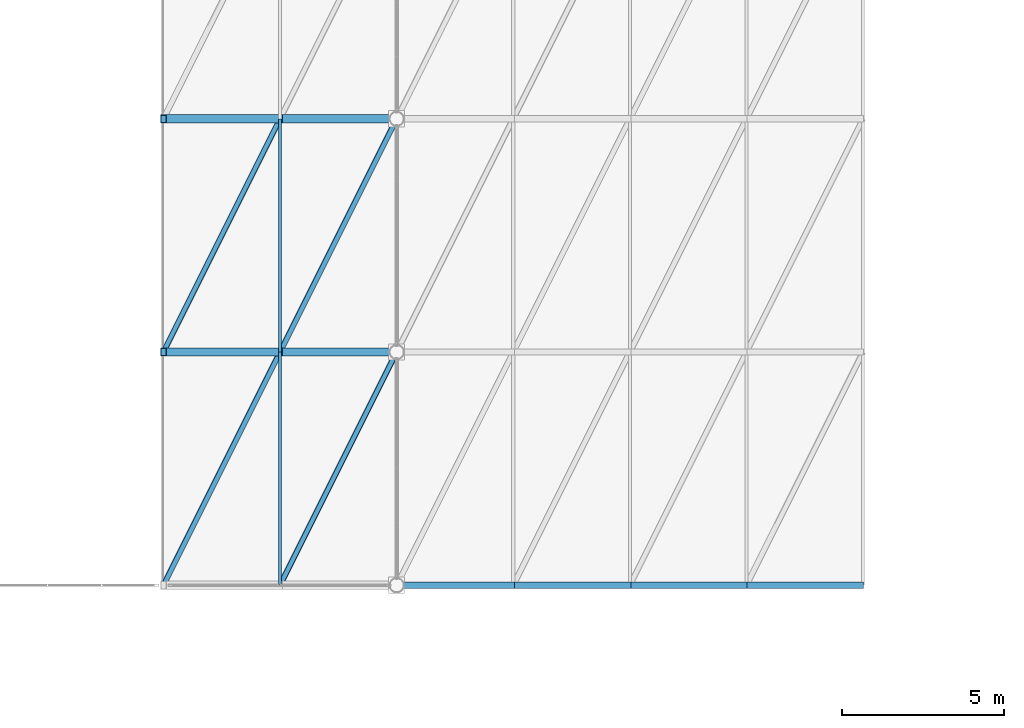
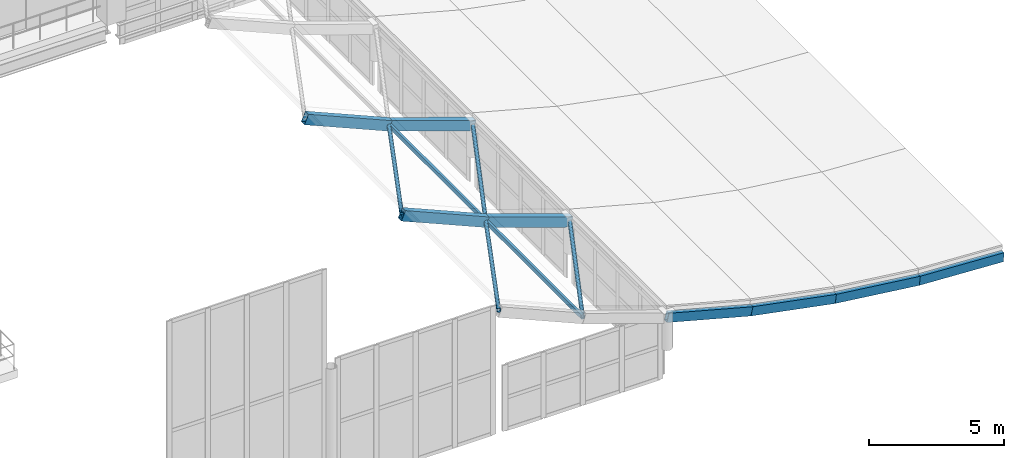
# One storey, part 64 of 153: 8 beams, 6 members.
"""IFC4 building model written with IfcOpenShell, lengths in metres."""

from ifc_helpers import new_model, si_unit, direction, frame, origin, origin_2d, place, context, subcontext, project, spatial, hollow_rectangle, hollow_circle, extrude, material, material_profile, profile_set, type_object, element, save


model = new_model("IFC4")

# Units and contexts
model_context = context("Model", 3, precision=1e-05, world=origin(), true_north=direction((0.0, 1.0)))
body_context = subcontext(model_context, "Body", "Model", "MODEL_VIEW")
ifc_project = project(units=[si_unit("LENGTHUNIT", "METRE"), si_unit("AREAUNIT", "SQUARE_METRE"), si_unit("VOLUMEUNIT", "CUBIC_METRE"), si_unit("PLANEANGLEUNIT", "RADIAN"), si_unit("MASSUNIT", "GRAM", prefix="KILO")], contexts=[model_context])

# Site, building, storey
site_placement = place(None, origin())
site = spatial("IfcSite", under=ifc_project, at=site_placement, CompositionType="ELEMENT")
building_placement = place(site_placement, origin())
building = spatial("IfcBuilding", under=site, at=building_placement, Name="Qandorah Velis Arena", CompositionType="ELEMENT")
storey_placement = place(building_placement, frame((0.0, 0.0, 5.39990234375)))
storey = spatial("IfcBuildingStorey", under=building, at=storey_placement, Name="L01", CompositionType="ELEMENT", Elevation=5.39990234375)

# Beams
ifc_material = material(Name="Steel S355", Category="steel")
ifc_material_profile_1 = material_profile(ifc_material, hollow_rectangle(XDim=0.199951171875, YDim=0.39990234375, WallThickness=0.01611328125, at=origin_2d()), Name="RHS 400x200x16")
ifc_profile_set_1 = profile_set([ifc_material_profile_1], Name="Steel S355")
beam_type_1 = type_object("IfcBeamType", Name="STR-CRB-RHS400", PredefinedType="USERDEFINED", material=ifc_profile_set_1)
beam_1_placement = place(storey_placement, frame((144.0, 14.39990234375, 1.388916015625), z_axis=(0.966010590095, 0.0, -0.258502494813), x_axis=(0.0, 1.0, 0.0)))
element("IfcBeam", 1, at=beam_1_placement, inside=storey, type_object=beam_type_1, Name="Sweeping canopy rib CRB-1.09", ObjectType="ROOF TRUSS", PredefinedType="USERDEFINED", context=body_context, shape_type="SweptSolid", body=[
    extrude(hollow_rectangle(XDim=0.199951171875, YDim=0.39990234375, WallThickness=0.01611328125, at=origin_2d()), origin(), (0.0, 0.0, 1.0), 3.726806640625),
])
beam_2_placement = place(storey_placement, frame((147.60009765625, 14.39990234375, 0.425537109375), z_axis=(0.981815497393, 0.0, -0.18983763873), x_axis=(0.0, 1.0, 0.0)))
element("IfcBeam", 2, at=beam_2_placement, inside=storey, type_object=beam_type_1, Name="Sweeping canopy rib CRB-1.10", ObjectType="ROOF TRUSS", PredefinedType="USERDEFINED", context=body_context, shape_type="SweptSolid", body=[
    extrude(hollow_rectangle(XDim=0.199951171875, YDim=0.39990234375, WallThickness=0.01611328125, at=origin_2d()), origin(), (0.0, 0.0, 1.0), 3.66650390625),
])
beam_3_placement = place(storey_placement, frame((151.199951171875, 14.39990234375, -0.2705078125), z_axis=(0.992623962298, 0.0, -0.121233945212), x_axis=(0.0, 1.0, 0.0)))
element("IfcBeam", 3, at=beam_3_placement, inside=storey, type_object=beam_type_1, Name="Sweeping canopy rib CRB-1.11", ObjectType="ROOF TRUSS", PredefinedType="USERDEFINED", context=body_context, shape_type="SweptSolid", body=[
    extrude(hollow_rectangle(XDim=0.199951171875, YDim=0.39990234375, WallThickness=0.01611328125, at=origin_2d()), origin(), (0.0, 0.0, 1.0), 3.626953125),
])
beam_4_placement = place(storey_placement, frame((154.800048828125, 14.39990234375, -0.710205078125), z_axis=(0.99861445971, 0.0, -0.0526228169), x_axis=(0.0, 1.0, 0.0)))
element("IfcBeam", 4, at=beam_4_placement, inside=storey, type_object=beam_type_1, Name="Sweeping canopy rib CRB-1.12", ObjectType="ROOF TRUSS", PredefinedType="USERDEFINED", context=body_context, shape_type="SweptSolid", body=[
    extrude(hollow_rectangle(XDim=0.199951171875, YDim=0.39990234375, WallThickness=0.01611328125, at=origin_2d()), origin(), (0.0, 0.0, 1.0), 3.604736328125),
])
ifc_material_profile_2 = material_profile(ifc_material, hollow_rectangle(XDim=0.25, YDim=0.449951171875, WallThickness=0.01611328125, at=origin_2d()), Name="RHS 450x250x16")
ifc_profile_set_2 = profile_set([ifc_material_profile_2], Name="Steel S355")
beam_type_2 = type_object("IfcBeamType", Name="STR-CRB-RHS450", PredefinedType="USERDEFINED", material=ifc_profile_set_2)
beam_5_placement = place(storey_placement, frame((136.800048828125, 21.60009765625, 4.18603515625), z_axis=(0.918383019151, 0.0, -0.395692595501), x_axis=(0.0, 1.0, 0.0)))
element("IfcBeam", 5, at=beam_5_placement, inside=storey, type_object=beam_type_2, Name="Sweeping canopy rib CRB-2.07", ObjectType="ROOF TRUSS", PredefinedType="USERDEFINED", context=body_context, shape_type="SweptSolid", body=[
    extrude(hollow_rectangle(XDim=0.25, YDim=0.449951171875, WallThickness=0.01611328125, at=origin_2d()), origin(), (0.0, 0.0, 1.0), 3.919677734375),
])
beam_6_placement = place(storey_placement, frame((140.39990234375, 21.60009765625, 2.635009765625), z_axis=(0.944993692242, 0.0, -0.327088553181), x_axis=(0.0, 1.0, 0.0)))
element("IfcBeam", 6, at=beam_6_placement, inside=storey, type_object=beam_type_2, Name="Sweeping canopy rib CRB-2.08", ObjectType="ROOF TRUSS", PredefinedType="USERDEFINED", context=body_context, shape_type="SweptSolid", body=[
    extrude(hollow_rectangle(XDim=0.25, YDim=0.449951171875, WallThickness=0.01611328125, at=origin_2d()), origin(), (0.0, 0.0, 1.0), 3.8095703125),
])
beam_7_placement = place(storey_placement, frame((136.800048828125, 28.800048828125, 4.18603515625), z_axis=(0.918383019151, 0.0, -0.395692595501), x_axis=(0.0, 1.0, 0.0)))
element("IfcBeam", 7, at=beam_7_placement, inside=storey, type_object=beam_type_2, Name="Sweeping canopy rib CRB-3.07", ObjectType="ROOF TRUSS", PredefinedType="USERDEFINED", context=body_context, shape_type="SweptSolid", body=[
    extrude(hollow_rectangle(XDim=0.25, YDim=0.449951171875, WallThickness=0.01611328125, at=origin_2d()), origin(), (0.0, 0.0, 1.0), 3.919677734375),
])
beam_8_placement = place(storey_placement, frame((140.39990234375, 28.800048828125, 2.635009765625), z_axis=(0.944993692242, 0.0, -0.327088553181), x_axis=(0.0, 1.0, 0.0)))
element("IfcBeam", 8, at=beam_8_placement, inside=storey, type_object=beam_type_2, Name="Sweeping canopy rib CRB-3.08", ObjectType="ROOF TRUSS", PredefinedType="USERDEFINED", context=body_context, shape_type="SweptSolid", body=[
    extrude(hollow_rectangle(XDim=0.25, YDim=0.449951171875, WallThickness=0.01611328125, at=origin_2d()), origin(), (0.0, 0.0, 1.0), 3.8095703125),
])

# Members
ifc_material_profile_3 = material_profile(ifc_material, hollow_rectangle(XDim=0.10009765625, YDim=0.199951171875, WallThickness=0.008056640625, at=origin_2d()), Name="RHS 200x100x8")
ifc_profile_set_3 = profile_set([ifc_material_profile_3], Name="Steel S355")
member_type_1 = type_object("IfcMemberType", Name="STR-PRL-RHS200", PredefinedType="PURLIN", material=ifc_profile_set_3)
member_1_placement = place(storey_placement, frame((140.39990234375, 14.39990234375, 2.635009765625), z_axis=(0.0, 1.0, 0.0), x_axis=(-1.0, 0.0, 0.0)))
element("IfcMember", 9, at=member_1_placement, inside=storey, type_object=member_type_1, Name="Canopy cross purlin CPR-1.07", PredefinedType="PURLIN", context=body_context, shape_type="SweptSolid", body=[
    extrude(hollow_rectangle(XDim=0.10009765625, YDim=0.199951171875, WallThickness=0.008056640625, at=origin_2d()), origin(), (0.0, 0.0, 1.0), 7.2001953125),
])
member_2_placement = place(storey_placement, frame((140.39990234375, 21.60009765625, 2.635009765625), z_axis=(0.0, 1.0, 0.0), x_axis=(-1.0, 0.0, 0.0)))
element("IfcMember", 10, at=member_2_placement, inside=storey, type_object=member_type_1, Name="Canopy cross purlin CPR-2.07", PredefinedType="PURLIN", context=body_context, shape_type="SweptSolid", body=[
    extrude(hollow_rectangle(XDim=0.10009765625, YDim=0.199951171875, WallThickness=0.008056640625, at=origin_2d()), origin(), (0.0, 0.0, 1.0), 7.199951171875),
])
ifc_material_profile_4 = material_profile(ifc_material, hollow_circle(Radius=0.084228515625, WallThickness=0.008056640625, at=origin_2d()), Name="CHS 168.3x8")
ifc_profile_set_4 = profile_set([ifc_material_profile_4], Name="Steel S355")
member_type_2 = type_object("IfcMemberType", Name="STR-SFD-CHS168X8", PredefinedType="STRUT", material=ifc_profile_set_4)
member_3_placement = place(storey_placement, frame((136.800048828125, 14.39990234375, 4.18603515625), z_axis=(0.43911286393, 0.878285288778, -0.189195254293), x_axis=(-0.894439321951, 0.447189332774, 0.0)))
element("IfcMember", 11, at=member_3_placement, inside=storey, type_object=member_type_2, Name="Canopy roof plane diagonal CDG-1.07", PredefinedType="STRUT", context=body_context, shape_type="SweptSolid", body=[
    extrude(hollow_circle(Radius=0.084228515625, WallThickness=0.008056640625, at=origin_2d()), origin(), (0.0, 0.0, 1.0), 8.197998046875),
])
member_4_placement = place(storey_placement, frame((140.39990234375, 14.39990234375, 2.635009765625), z_axis=(0.441950179025, 0.88390035805, -0.152971227027), x_axis=(-0.894427191, 0.4472135955, 0.0)))
element("IfcMember", 12, at=member_4_placement, inside=storey, type_object=member_type_2, Name="Canopy roof plane diagonal CDG-1.08", PredefinedType="STRUT", context=body_context, shape_type="SweptSolid", body=[
    extrude(hollow_circle(Radius=0.084228515625, WallThickness=0.008056640625, at=origin_2d()), origin(), (0.0, 0.0, 1.0), 8.14599609375),
])
member_5_placement = place(storey_placement, frame((136.800048828125, 21.60009765625, 4.18603515625), z_axis=(0.439124349508, 0.878278480253, -0.189200202945), x_axis=(-0.894433256723, 0.447201463849, 0.0)))
element("IfcMember", 13, at=member_5_placement, inside=storey, type_object=member_type_2, Name="Canopy roof plane diagonal CDG-2.07", PredefinedType="STRUT", context=body_context, shape_type="SweptSolid", body=[
    extrude(hollow_circle(Radius=0.084228515625, WallThickness=0.008056640625, at=origin_2d()), origin(), (0.0, 0.0, 1.0), 8.19775390625),
])
member_6_placement = place(storey_placement, frame((140.39990234375, 21.60009765625, 2.635009765625), z_axis=(0.441961887103, 0.88389380256, -0.152975279518), x_axis=(-0.894421125195, 0.447225726904, 0.0)))
element("IfcMember", 14, at=member_6_placement, inside=storey, type_object=member_type_2, Name="Canopy roof plane diagonal CDG-2.08", PredefinedType="STRUT", context=body_context, shape_type="SweptSolid", body=[
    extrude(hollow_circle(Radius=0.084228515625, WallThickness=0.008056640625, at=origin_2d()), origin(), (0.0, 0.0, 1.0), 8.145751953125),
])

save(model, "model.ifc")
